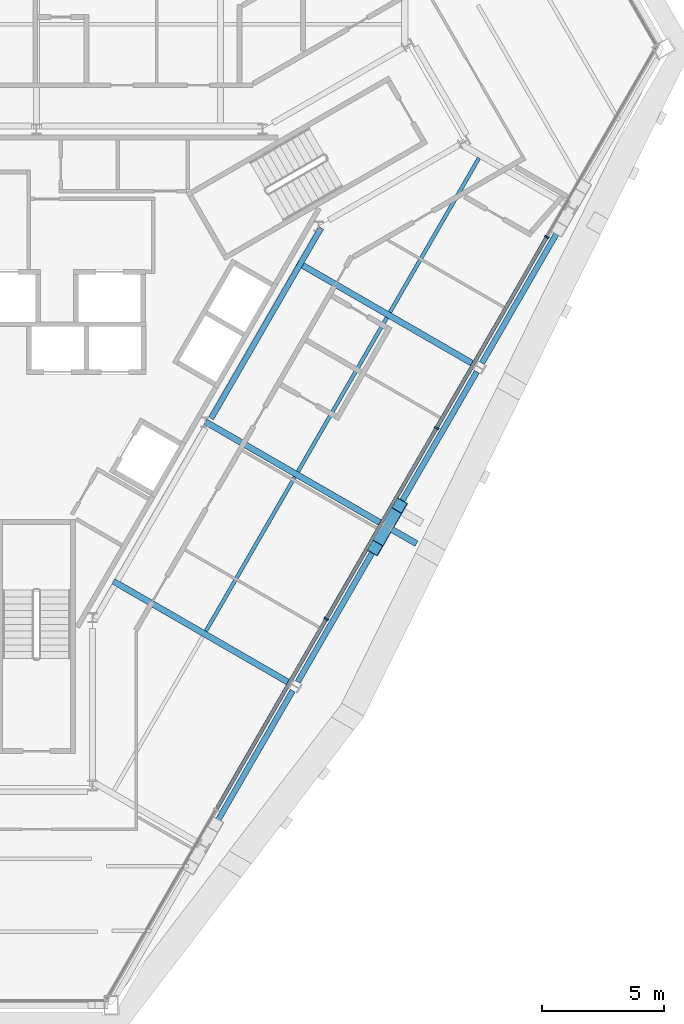
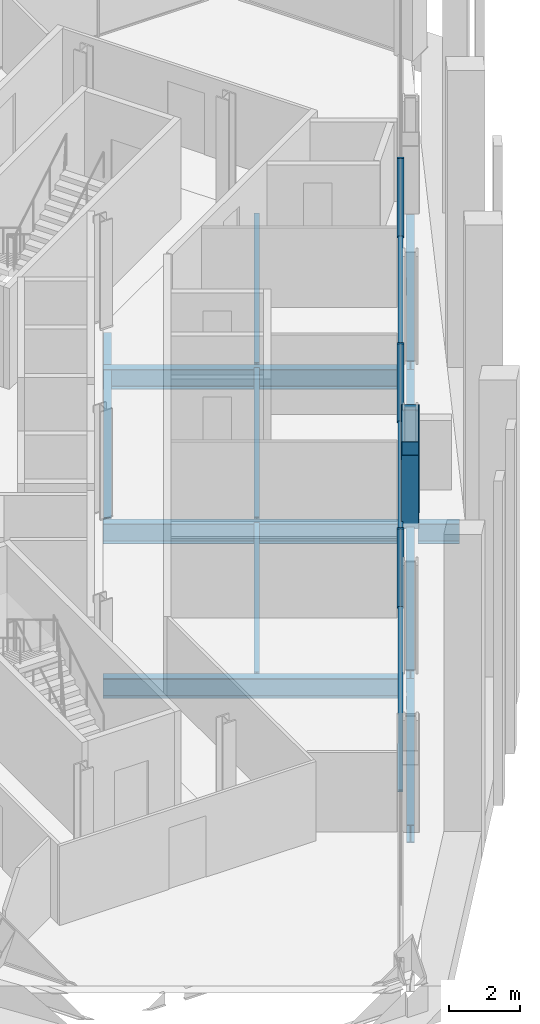
# One storey, part 4 of 14: 12 beams, 8 members, 1 element without a shape of its own.
"""IFC4 building model written with IfcOpenShell, lengths in metres."""

from ifc_helpers import new_model, si_unit, direction, frame, origin, origin_2d, place, context, subcontext, project, spatial, rectangle, hollow_rectangle, i_section, extrude, material, material_profile, profile_set, type_object, element, aggregate, save


model = new_model("IFC4")

# Units and contexts
model_context = context("Model", 3, precision=1e-05, world=origin(), true_north=direction((0.0, 1.0)))
body_context = subcontext(model_context, "Body", "Model", "MODEL_VIEW")
ifc_project = project(units=[si_unit("LENGTHUNIT", "METRE"), si_unit("AREAUNIT", "SQUARE_METRE"), si_unit("VOLUMEUNIT", "CUBIC_METRE"), si_unit("PLANEANGLEUNIT", "RADIAN"), si_unit("MASSUNIT", "GRAM", prefix="KILO")], contexts=[model_context])

# Site, building, storey
site_placement = place(None, origin())
site = spatial("IfcSite", under=ifc_project, at=site_placement, CompositionType="ELEMENT")
building_placement = place(site_placement, origin())
building = spatial("IfcBuilding", under=site, at=building_placement, Name="Verrane Prism Tower", CompositionType="ELEMENT")
storey_placement = place(building_placement, frame((0.0, 0.0, 148.800048828125)))
storey = spatial("IfcBuildingStorey", under=building, at=storey_placement, Name="L36", CompositionType="ELEMENT", Elevation=148.800048828125)

# Beam
ifc_material_1 = material(Name="Steel A992", Category="steel")
ifc_material_profile_1 = material_profile(ifc_material_1, i_section(OverallWidth=0.23046875, OverallDepth=0.6171875, WebThickness=0.01318359375, FlangeThickness=0.022216796875, FilletRadius=0.012939453125, at=origin_2d()), Name="W24x94")
ifc_profile_set_1 = profile_set([ifc_material_profile_1], Name="Steel A992")
beam_type_1 = type_object("IfcBeamType", Name="Core ring girder W24x94", PredefinedType="BEAM", material=ifc_profile_set_1)
beam_1_placement = place(storey_placement, frame((7.158203125, -3.865966796875, -0.55859375), z_axis=(0.499903523941, 0.866081097099, 0.0), x_axis=(-0.866081097099, 0.499903523941, 0.0)))
element("IfcBeam", 1, at=beam_1_placement, inside=storey, type_object=beam_type_1, Name="Core ring girder L36", PredefinedType="BEAM", context=body_context, shape_type="SweptSolid", body=[
    extrude(i_section(OverallWidth=0.23046875, OverallDepth=0.6171875, WebThickness=0.01318359375, FlangeThickness=0.022216796875, FilletRadius=0.012939453125, at=origin_2d()), origin(), (0.0, 0.0, 1.0), 9.026123046875),
])

# Members
ifc_material_2 = material(Name="Steel A500 Grade C", Category="steel")
ifc_material_profile_2 = material_profile(ifc_material_2, hollow_rectangle(XDim=0.508056640625, YDim=0.508056640625, WallThickness=0.01904296875, InnerFilletRadius=0.009521484375, OuterFilletRadius=0.028564453125, at=origin_2d()), Name="HSS20x20x3/4")
ifc_profile_set_2 = profile_set([ifc_material_profile_2], Name="Steel A500 Grade C")
member_type_1 = type_object("IfcMemberType", Name="Facade brace HSS20x20x3/4", PredefinedType="BRACE", material=ifc_profile_set_2)
for number, where, z_axis, x_axis, name in (
    (2, (14.3369140625, -8.375, -0.171630859375), (-0.139764473405, -0.242412144133, 0.960053250789), (0.866322743742, -0.499484638077, 0.0), "Facade brace SE2 L36"),
    (3, (14.42333984375, -8.22509765625, -0.171630859375), (0.140141716006, 0.242049439429, 0.960089770963), (-0.86541414625, 0.501057237718, 0.0), "Facade brace SE3 L36"),
):
    element("IfcMember", number, at=place(storey_placement, frame(where, z_axis=z_axis, x_axis=x_axis)), inside=storey, type_object=member_type_1, Name=name, PredefinedType="BRACE", context=body_context, shape_type="SweptSolid", body=[
        extrude(hollow_rectangle(XDim=0.508056640625, YDim=0.508056640625, WallThickness=0.01904296875, InnerFilletRadius=0.009521484375, OuterFilletRadius=0.028564453125, at=origin_2d()), origin(), (0.0, 0.0, 1.0), 3.2822265625),
    ])

# Beams
ifc_material_3 = material(Name="Steel A992", Category="steel")
ifc_material_profile_3 = material_profile(ifc_material_3, i_section(OverallWidth=0.15234375, OverallDepth=0.449462890625, WebThickness=0.007568359375, FlangeThickness=0.0107421875, FilletRadius=0.01025390625, at=origin_2d()), Name="W18x35")
ifc_profile_set_3 = profile_set([ifc_material_profile_3], Name="Steel A992")
beam_type_2 = type_object("IfcBeamType", Name="Floor beam W18x35", PredefinedType="BEAM", material=ifc_profile_set_3)
beam_2_placement = place(storey_placement, frame((6.9462890625, -12.57861328125, -0.384765625), z_axis=(0.500012159746, 0.866018383238, 0.0), x_axis=(-0.866018383238, 0.500012159746, 0.0)))
element("IfcBeam", 4, at=beam_2_placement, inside=storey, type_object=beam_type_2, Name="Floor beam L36", PredefinedType="BEAM", context=body_context, shape_type="SweptSolid", body=[
    extrude(i_section(OverallWidth=0.15234375, OverallDepth=0.449462890625, WebThickness=0.007568359375, FlangeThickness=0.0107421875, FilletRadius=0.01025390625, at=origin_2d()), origin(), (0.0, 0.0, 1.0), 7.294677734375),
])
beam_3_placement = place(storey_placement, frame((10.719970703125, -6.041015625, -0.384765625), z_axis=(0.499998707891, 0.866026149782, 0.0), x_axis=(-0.866026149782, 0.499998707891, 0.0)))
element("IfcBeam", 5, at=beam_3_placement, inside=storey, type_object=beam_type_2, Name="Floor beam L36", PredefinedType="BEAM", context=body_context, shape_type="SweptSolid", body=[
    extrude(i_section(OverallWidth=0.15234375, OverallDepth=0.449462890625, WebThickness=0.007568359375, FlangeThickness=0.0107421875, FilletRadius=0.01025390625, at=origin_2d()), origin(), (0.0, 0.0, 1.0), 7.29296875),
])
beam_4_placement = place(storey_placement, frame((14.493408203125, 0.4951171875, -0.384765625), z_axis=(0.50001111627, 0.866018985708, 0.0), x_axis=(-0.866018985708, 0.50001111627, 0.0)))
element("IfcBeam", 6, at=beam_4_placement, inside=storey, type_object=beam_type_2, Name="Floor beam L36", PredefinedType="BEAM", context=body_context, shape_type="SweptSolid", body=[
    extrude(i_section(OverallWidth=0.15234375, OverallDepth=0.449462890625, WebThickness=0.007568359375, FlangeThickness=0.0107421875, FilletRadius=0.01025390625, at=origin_2d()), origin(), (0.0, 0.0, 1.0), 7.296630859375),
])

# Curtain wall, members
ifc_material_4 = material(Name="Aluminium framed insulated glazing", Category="aluminium")
curtain_wall_type = type_object("IfcCurtainWallType", Name="Curtain wall CW-A 8400 module", PredefinedType="NOTDEFINED", material=ifc_material_4)
curtain_wall_placement = place(storey_placement, origin())
curtain_wall = element("IfcCurtainWall", 7, at=curtain_wall_placement, inside=storey, type_object=curtain_wall_type, Name="Glazed curtain wall south-east face L36", PredefinedType="NOTDEFINED")
ifc_material_5 = material(Name="Aluminium alloy 6063-T6", Category="aluminium")
ifc_material_profile_4 = material_profile(ifc_material_5, rectangle(XDim=0.199951171875, YDim=0.070068359375, at=origin_2d()), Name="Mullion 70x200 aluminium")
ifc_profile_set_4 = profile_set([ifc_material_profile_4], Name="Aluminium alloy 6063-T6")
member_type_2 = type_object("IfcMemberType", Name="Mullion 70x200 aluminium", PredefinedType="MULLION", material=ifc_profile_set_4)
member_1_placement = place(storey_placement, frame((11.883056640625, -12.079833984375, 0.0), z_axis=(0.0, 0.0, 1.0), x_axis=(-0.866025097191, 0.500000531035, 0.0)))
member_1 = element("IfcMember", 8, at=member_1_placement, type_object=member_type_2, Name="CW36.6 mullion 3", PredefinedType="MULLION", context=body_context, shape_type="SweptSolid", body=[
    extrude(rectangle(XDim=0.199951171875, YDim=0.070068359375, at=origin_2d()), origin(), (0.0, 0.0, 1.0), 2.712890625),
])
member_2_placement = place(storey_placement, frame((16.403076171875, -4.251220703125, 0.0), z_axis=(0.0, 0.0, 1.0), x_axis=(-0.866025097191, 0.500000531035, 0.0)))
member_2 = element("IfcMember", 9, at=member_2_placement, type_object=member_type_2, Name="CW36.6 mullion 4", PredefinedType="MULLION", context=body_context, shape_type="SweptSolid", body=[
    extrude(rectangle(XDim=0.199951171875, YDim=0.070068359375, at=origin_2d()), origin(), (0.0, 0.0, 1.0), 2.712890625),
])
member_3_placement = place(storey_placement, frame((20.923095703125, 3.57763671875, 0.0), z_axis=(0.0, 0.0, 1.0), x_axis=(-0.866025097191, 0.500000531035, 0.0)))
member_3 = element("IfcMember", 10, at=member_3_placement, type_object=member_type_2, Name="CW36.6 mullion 5", PredefinedType="MULLION", context=body_context, shape_type="SweptSolid", body=[
    extrude(rectangle(XDim=0.199951171875, YDim=0.070068359375, at=origin_2d()), origin(), (0.0, 0.0, 1.0), 2.712890625),
])

# Beams
ifc_material_6 = material(Name="Steel A992", Category="steel")
ifc_material_profile_5 = material_profile(ifc_material_6, i_section(OverallWidth=0.25390625, OverallDepth=0.683349609375, WebThickness=0.012451171875, FlangeThickness=0.01904296875, FilletRadius=0.01513671875, at=origin_2d()), Name="W27x94")
ifc_profile_set_5 = profile_set([ifc_material_profile_5], Name="Steel A992")
beam_type_3 = type_object("IfcBeamType", Name="Radial girder W27x94", PredefinedType="BEAM", material=ifc_profile_set_5)
beam_5_placement = place(storey_placement, frame((10.421875, -14.7314453125, -0.561767578125), z_axis=(-0.866017422895, 0.500013823051, 0.0), x_axis=(-0.500013823051, -0.866017422895, 0.0)))
element("IfcBeam", 11, at=beam_5_placement, inside=storey, type_object=beam_type_3, Name="Radial girder L36", PredefinedType="BEAM", context=body_context, shape_type="SweptSolid", body=[
    extrude(i_section(OverallWidth=0.25390625, OverallDepth=0.683349609375, WebThickness=0.012451171875, FlangeThickness=0.01904296875, FilletRadius=0.01513671875, at=origin_2d()), origin(), (0.0, 0.0, 1.0), 8.389404296875),
])
beam_6_placement = place(storey_placement, frame((14.19189453125, -8.19140625, -0.561767578125), z_axis=(-0.866027030928, 0.499997181693, 0.0), x_axis=(-0.499997181693, -0.866027030928, 0.0)))
element("IfcBeam", 12, at=beam_6_placement, inside=storey, type_object=beam_type_3, Name="Radial girder L36", PredefinedType="BEAM", context=body_context, shape_type="SweptSolid", body=[
    extrude(i_section(OverallWidth=0.25390625, OverallDepth=0.683349609375, WebThickness=0.012451171875, FlangeThickness=0.01904296875, FilletRadius=0.01513671875, at=origin_2d()), origin(), (0.0, 0.0, 1.0), 8.384765625),
])
beam_7_placement = place(storey_placement, frame((17.971923828125, -1.661376953125, -0.561767578125), z_axis=(-0.866025742774, 0.499999412853, 0.0), x_axis=(-0.499999412853, -0.866025742774, 0.0)))
element("IfcBeam", 13, at=beam_7_placement, inside=storey, type_object=beam_type_3, Name="Radial girder L36", PredefinedType="BEAM", context=body_context, shape_type="SweptSolid", body=[
    extrude(i_section(OverallWidth=0.25390625, OverallDepth=0.683349609375, WebThickness=0.012451171875, FlangeThickness=0.01904296875, FilletRadius=0.01513671875, at=origin_2d()), origin(), (0.0, 0.0, 1.0), 8.3935546875),
])
beam_8_placement = place(storey_placement, frame((14.564697265625, -8.406494140625, -0.561767578125), z_axis=(0.866019260715, -0.500010639957, 0.0), x_axis=(0.500010639957, 0.866019260715, 0.0)))
element("IfcBeam", 14, at=beam_8_placement, inside=storey, type_object=beam_type_3, Name="Cantilever girder L36", PredefinedType="BEAM", context=body_context, shape_type="SweptSolid", body=[
    extrude(i_section(OverallWidth=0.25390625, OverallDepth=0.683349609375, WebThickness=0.012451171875, FlangeThickness=0.01904296875, FilletRadius=0.01513671875, at=origin_2d()), origin(), (0.0, 0.0, 1.0), 1.17333984375),
])
ifc_material_7 = material(Name="Steel A992", Category="steel")
ifc_material_profile_6 = material_profile(ifc_material_7, i_section(OverallWidth=0.23046875, OverallDepth=0.6171875, WebThickness=0.01318359375, FlangeThickness=0.022216796875, FilletRadius=0.012939453125, at=origin_2d()), Name="W24x94")
ifc_profile_set_6 = profile_set([ifc_material_profile_6], Name="Steel A992")
beam_type_4 = type_object("IfcBeamType", Name="Spandrel beam W24x94", PredefinedType="SPANDREL", material=ifc_profile_set_6)
for number, where, z_axis, x_axis, name in (
    (15, (6.942626953125, -21.201904296875, -0.46875), (0.499432230493, 0.866352957601, 0.0), (-0.866352957601, 0.499432230493, 0.0), "Spandrel beam L36"),
    (16, (10.712646484375, -14.661865234375, -0.46875), (0.499432230493, 0.866352957601, 0.0), (-0.866352957601, 0.499432230493, 0.0), "Spandrel beam L36"),
):
    element("IfcBeam", number, at=place(storey_placement, frame(where, z_axis=z_axis, x_axis=x_axis)), inside=storey, type_object=beam_type_4, Name=name, PredefinedType="SPANDREL", context=body_context, shape_type="SweptSolid", body=[
        extrude(i_section(OverallWidth=0.23046875, OverallDepth=0.6171875, WebThickness=0.01318359375, FlangeThickness=0.022216796875, FilletRadius=0.012939453125, at=origin_2d()), origin(), (0.0, 0.0, 1.0), 7.137451171875),
    ])
beam_9_placement = place(storey_placement, frame((14.483154296875, -8.121826171875, -0.46875), z_axis=(0.500974211218, 0.865462211592, 0.0), x_axis=(-0.865462211592, 0.500974211218, 0.0)))
element("IfcBeam", 17, at=beam_9_placement, inside=storey, type_object=beam_type_4, Name="Spandrel beam L36", PredefinedType="SPANDREL", context=body_context, shape_type="SweptSolid", body=[
    extrude(i_section(OverallWidth=0.23046875, OverallDepth=0.6171875, WebThickness=0.01318359375, FlangeThickness=0.022216796875, FilletRadius=0.012939453125, at=origin_2d()), origin(), (0.0, 0.0, 1.0), 7.133544921875),
])
beam_10_placement = place(storey_placement, frame((18.2626953125, -1.591796875, -0.46875), z_axis=(0.499432230493, 0.866352957601, 0.0), x_axis=(-0.866352957601, 0.499432230493, 0.0)))
element("IfcBeam", 18, at=beam_10_placement, inside=storey, type_object=beam_type_4, Name="Spandrel beam L36", PredefinedType="SPANDREL", context=body_context, shape_type="SweptSolid", body=[
    extrude(i_section(OverallWidth=0.23046875, OverallDepth=0.6171875, WebThickness=0.01318359375, FlangeThickness=0.022216796875, FilletRadius=0.012939453125, at=origin_2d()), origin(), (0.0, 0.0, 1.0), 7.137451171875),
])

# Member
ifc_material_8 = material(Name="Aluminium alloy 6063-T6", Category="aluminium")
ifc_material_profile_7 = material_profile(ifc_material_8, rectangle(XDim=0.14990234375, YDim=0.070068359375, at=origin_2d()), Name="Transom 70x150 aluminium")
ifc_profile_set_7 = profile_set([ifc_material_profile_7], Name="Aluminium alloy 6063-T6")
member_type_3 = type_object("IfcMemberType", Name="Transom 70x150 aluminium", PredefinedType="USERDEFINED", material=ifc_profile_set_7)
member_4_placement = place(storey_placement, frame((7.380615234375, -19.878173828125, 0.034912109375), z_axis=(0.500017741834, 0.866015160289, 0.0), x_axis=(-0.866015160289, 0.500017741834, 0.0)))
member_4 = element("IfcMember", 19, at=member_4_placement, type_object=member_type_3, Name="CW36.6 transom 2", ObjectType="TRANSOM", PredefinedType="USERDEFINED", context=body_context, shape_type="SweptSolid", body=[
    extrude(rectangle(XDim=0.14990234375, YDim=0.070068359375, at=origin_2d()), origin(), (0.0, 0.0, 1.0), 8.969970703125),
])

member_5_placement = place(storey_placement, frame((11.900634765625, -12.049560546875, 0.034912109375), z_axis=(0.499997328569, 0.86602694613, 0.0), x_axis=(-0.86602694613, 0.499997328569, 0.0)))
member_5 = element("IfcMember", 20, at=member_5_placement, type_object=member_type_3, Name="CW36.6 transom 3", ObjectType="TRANSOM", PredefinedType="USERDEFINED", context=body_context, shape_type="SweptSolid", body=[
    extrude(rectangle(XDim=0.14990234375, YDim=0.070068359375, at=origin_2d()), origin(), (0.0, 0.0, 1.0), 8.9697265625),
])

member_6_placement = place(storey_placement, frame((16.420654296875, -4.220947265625, 0.034912109375), z_axis=(0.49998554304, 0.866033750353, 0.0), x_axis=(-0.866033750353, 0.49998554304, 0.0)))
member_6 = element("IfcMember", 21, at=member_6_placement, type_object=member_type_3, Name="CW36.6 transom 4", ObjectType="TRANSOM", PredefinedType="USERDEFINED", context=body_context, shape_type="SweptSolid", body=[
    extrude(rectangle(XDim=0.14990234375, YDim=0.070068359375, at=origin_2d()), origin(), (0.0, 0.0, 1.0), 8.969970703125),
])

aggregate(curtain_wall, [member_1, member_2, member_3, member_4, member_5, member_6])

save(model, "model.ifc")
